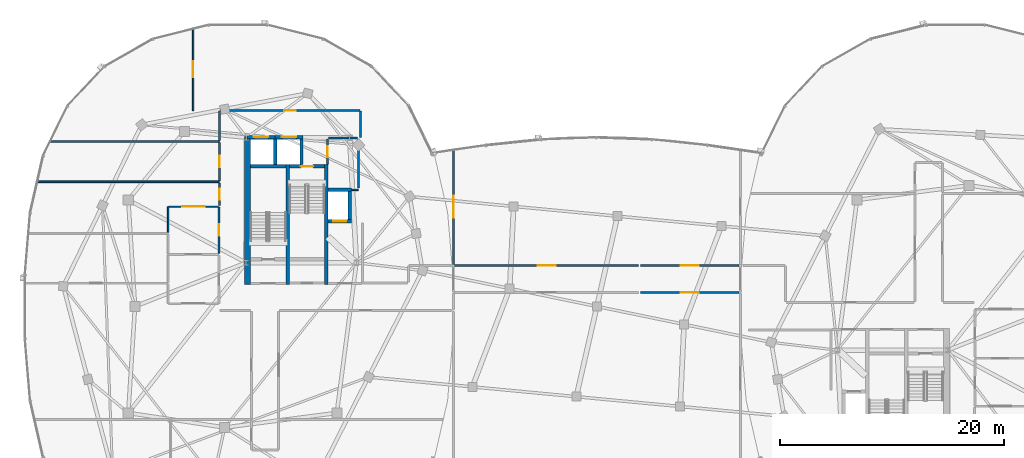
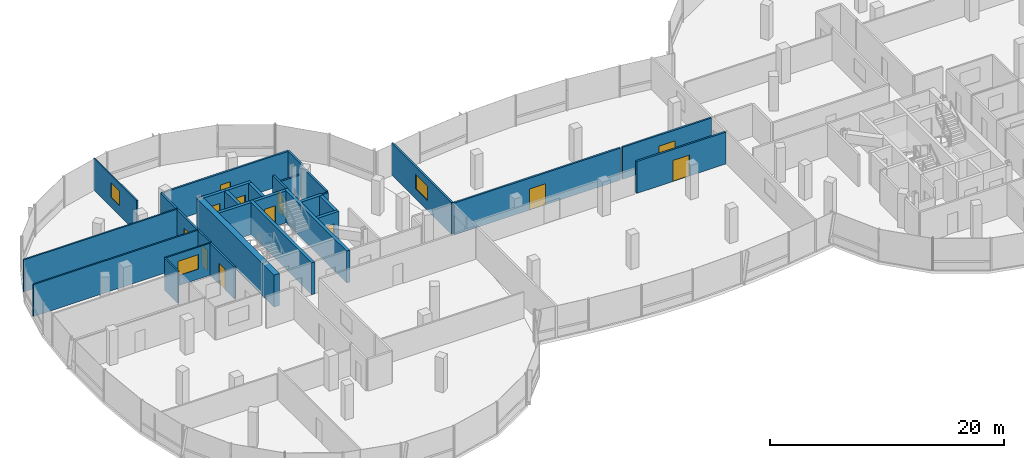
# One storey, part 15 of 25: 31 walls, 12 doors, 3 windows, 15 openings.
"""IFC4 building model written with IfcOpenShell, lengths in metres."""

from ifc_helpers import new_model, si_unit, direction, frame, frame_2d, origin, place, context, subcontext, project, spatial, rectangle, extrude, material, layer, layer_set, type_object, element, fill, save


model = new_model("IFC4")

# Units and contexts
model_context = context("Model", 3, precision=1e-05, world=origin(), true_north=direction((0.0, 1.0)))
body_context = subcontext(model_context, "Body", "Model", "MODEL_VIEW")
ifc_project = project(units=[si_unit("LENGTHUNIT", "METRE"), si_unit("AREAUNIT", "SQUARE_METRE"), si_unit("VOLUMEUNIT", "CUBIC_METRE"), si_unit("PLANEANGLEUNIT", "RADIAN"), si_unit("MASSUNIT", "GRAM", prefix="KILO"), si_unit("THERMODYNAMICTEMPERATUREUNIT", "KELVIN"), si_unit("POWERUNIT", "WATT")], contexts=[model_context])

# Site, building, storey
site_placement = place(None, origin())
site = spatial("IfcSite", under=ifc_project, at=site_placement, CompositionType="ELEMENT")
building_placement = place(site_placement, origin())
building = spatial("IfcBuilding", under=site, at=building_placement, Name="Cundina Bronze Exchange", CompositionType="ELEMENT")
storey_placement = place(building_placement, frame((0.0, 0.0, 257.60009765625)))
storey = spatial("IfcBuildingStorey", under=building, at=storey_placement, Name="L68", CompositionType="ELEMENT", Elevation=257.60009765625)

# Walls
ifc_material_1 = material(Name="Gypsum Fireboard Partition EI120")
ifc_layer_1 = layer(ifc_material_1, 0.179931640625, Name="Gypsum Fireboard Partition EI120")
ifc_layer_set_1 = layer_set([ifc_layer_1], Name="Gypsum Fireboard Partition EI120")
wall_type_1 = type_object("IfcWallType", Name="WL-COR-180", PredefinedType="PARTITIONING", material=ifc_layer_set_1)
wall_1_placement = place(storey_placement, frame((-21.25, 10.570068359375, 0.0), z_axis=(0.0, 0.0, 1.0), x_axis=(0.0, 1.0, 0.0)))
element("IfcWall", 1, at=wall_1_placement, inside=storey, type_object=wall_type_1, Name="L68 Interior Partition 002", PredefinedType="PARTITIONING", context=body_context, shape_type="SweptSolid", body=[
    extrude(rectangle(XDim=4.35986328125, YDim=0.179931640625, at=frame_2d((2.179931640625, 0.0))), origin(), (0.0, 0.0, 1.0), 3.33984375),
])
wall_2_placement = place(storey_placement, frame((-23.9599609375, 15.030029296875, 0.0), z_axis=(0.0, 0.0, 1.0), x_axis=(1.0, 0.0, 0.0)))
element("IfcWall", 2, at=wall_2_placement, inside=storey, type_object=wall_type_1, Name="L68 Interior Partition 003", PredefinedType="PARTITIONING", context=body_context, shape_type="SweptSolid", body=[
    extrude(rectangle(XDim=2.60986328125, YDim=0.179931640625, at=frame_2d((1.304931640625, 0.0))), origin(), (0.0, 0.0, 1.0), 2.412841796875),
])

# Wall, opening, door
wall_3_placement = place(storey_placement, frame((-24.02001953125, 12.669921875, 0.0), z_axis=(0.0, 0.0, 1.0), x_axis=(0.0, 1.0, 0.0)))
wall_3 = element("IfcWall", 3, at=wall_3_placement, inside=storey, type_object=wall_type_1, Name="L68 Interior Partition 005", PredefinedType="PARTITIONING", context=body_context, shape_type="SweptSolid", body=[
    extrude(rectangle(XDim=2.260009765625, YDim=0.179931640625, at=frame_2d((1.1298828125, 0.0))), origin(), (0.0, 0.0, 1.0), 3.33984375),
])
opening_1_placement = place(wall_3_placement, frame((0.655029296875, 0.0, 0.0)))
opening_1 = element("IfcOpeningElement", 4, at=opening_1_placement, cuts=wall_3, Name="Opening DW-01", PredefinedType="OPENING", context=body_context, shape_type="SweptSolid", body=[
    extrude(rectangle(XDim=0.949951171875, YDim=2.10009765625, at=frame_2d((0.47509765625, 1.050048828125))), frame((0.0, 0.099853515625, 0.0), z_axis=(0.0, -1.0, 0.0), x_axis=(1.0, 0.0, 0.0)), (0.0, 0.0, 1.0), 0.199951171875),
])
ifc_material_2 = material(Name="Solid Andean Oak Timber Grade A", Category="wood")
door_type_1 = type_object("IfcDoorType", Name="DR-WC-950", OperationType="NOTDEFINED", PredefinedType="DOOR", material=ifc_material_2)
door_1_placement = place(opening_1_placement, origin())
door_1 = element("IfcDoor", 5, at=door_1_placement, inside=storey, type_object=door_type_1, Name="L68 Interior Door 005", OperationType="SINGLE_SWING_RIGHT", OverallHeight=2.10009765625, OverallWidth=0.949951171875, PredefinedType="DOOR", context=body_context, shape_type="SweptSolid", body=[
    extrude(rectangle(XDim=0.949951171875, YDim=2.10009765625, at=frame_2d((0.47509765625, 1.050048828125))), frame((0.0, 0.02490234375, 0.0), z_axis=(0.0, -1.0, 0.0), x_axis=(1.0, 0.0, 0.0)), (0.0, 0.0, 1.0), 0.050048828125),
])
fill(opening_1, door_1)

wall_4_placement = place(storey_placement, frame((-33.719970703125, 4.72998046875, 0.0), z_axis=(0.0, 0.0, 1.0), x_axis=(0.0, 1.0, 0.0)))
wall_4 = element("IfcWall", 6, at=wall_4_placement, inside=storey, type_object=wall_type_1, Name="L68 Interior Partition 014", PredefinedType="PARTITIONING", context=body_context, shape_type="SweptSolid", body=[
    extrude(rectangle(XDim=4.159912109375, YDim=0.179931640625, at=frame_2d((2.080078125, 0.0))), origin(), (0.0, 0.0, 1.0), 3.33984375),
])
opening_2_placement = place(wall_4_placement, frame((1.580078125, 0.0, 0.0)))
opening_2 = element("IfcOpeningElement", 7, at=opening_2_placement, cuts=wall_4, Name="Opening DO-01", PredefinedType="OPENING", context=body_context, shape_type="SweptSolid", body=[
    extrude(rectangle(XDim=1.0, YDim=2.14990234375, at=frame_2d((0.5, 1.074951171875))), frame((0.0, 0.099853515625, 0.0), z_axis=(0.0, -1.0, 0.0), x_axis=(1.0, 0.0, 0.0)), (0.0, 0.0, 1.0), 0.199951171875),
])
door_type_2 = type_object("IfcDoorType", Name="DR-OFF-1000", OperationType="NOTDEFINED", PredefinedType="DOOR", material=ifc_material_2)
door_2_placement = place(opening_2_placement, origin())
door_2 = element("IfcDoor", 8, at=door_2_placement, inside=storey, type_object=door_type_2, Name="L68 Interior Door 014", OperationType="SINGLE_SWING_LEFT", OverallHeight=2.14990234375, OverallWidth=1.0, PredefinedType="DOOR", context=body_context, shape_type="SweptSolid", body=[
    extrude(rectangle(XDim=1.0, YDim=2.14990234375, at=frame_2d((0.5, 1.074951171875))), frame((0.0, 0.02490234375, 0.0), z_axis=(0.0, -1.0, 0.0), x_axis=(1.0, 0.0, 0.0)), (0.0, 0.0, 1.0), 0.050048828125),
])
fill(opening_2, door_2)

wall_5_placement = place(storey_placement, frame((-33.669921875, 11.030029296875, 0.0), z_axis=(0.0, 0.0, 1.0), x_axis=(0.0, -1.0, 0.0)))
wall_5 = element("IfcWall", 9, at=wall_5_placement, inside=storey, type_object=wall_type_1, Name="L68 Interior Partition 029", PredefinedType="PARTITIONING", context=body_context, shape_type="SweptSolid", body=[
    extrude(rectangle(XDim=2.028564453125, YDim=0.179931640625, at=frame_2d((1.01416015625, 0.0))), origin(), (0.0, 0.0, 1.0), 3.33984375),
])
opening_3_placement = place(wall_5_placement, frame((0.514404296875, 0.0, 0.0)))
opening_3 = element("IfcOpeningElement", 10, at=opening_3_placement, cuts=wall_5, Name="Opening DO-01", PredefinedType="OPENING", context=body_context, shape_type="SweptSolid", body=[
    extrude(rectangle(XDim=1.0, YDim=2.14990234375, at=frame_2d((0.5, 1.074951171875))), frame((0.0, 0.099853515625, 0.0), z_axis=(0.0, -1.0, 0.0), x_axis=(1.0, 0.0, 0.0)), (0.0, 0.0, 1.0), 0.199951171875),
])
door_3_placement = place(opening_3_placement, origin())
door_3 = element("IfcDoor", 11, at=door_3_placement, inside=storey, type_object=door_type_2, Name="L68 Interior Door 029", OperationType="SINGLE_SWING_RIGHT", OverallHeight=2.14990234375, OverallWidth=1.0, PredefinedType="DOOR", context=body_context, shape_type="SweptSolid", body=[
    extrude(rectangle(XDim=1.0, YDim=2.14990234375, at=frame_2d((0.5, 1.074951171875))), frame((0.0, 0.02490234375, 0.0), z_axis=(0.0, -1.0, 0.0), x_axis=(1.0, 0.0, 0.0)), (0.0, 0.0, 1.0), 0.050048828125),
])
fill(opening_3, door_3)

wall_6_placement = place(storey_placement, frame((-33.669921875, 14.6298828125, 0.0), z_axis=(0.0, 0.0, 1.0), x_axis=(0.0, -1.0, 0.0)))
wall_6 = element("IfcWall", 12, at=wall_6_placement, inside=storey, type_object=wall_type_1, Name="L68 Interior Partition 030", PredefinedType="PARTITIONING", context=body_context, shape_type="SweptSolid", body=[
    extrude(rectangle(XDim=3.419921875, YDim=0.179931640625, at=frame_2d((1.7099609375, 0.0))), origin(), (0.0, 0.0, 1.0), 3.33984375),
])
opening_4_placement = place(wall_6_placement, frame((1.2099609375, 0.0, 0.0)))
opening_4 = element("IfcOpeningElement", 13, at=opening_4_placement, cuts=wall_6, Name="Opening DO-01", PredefinedType="OPENING", context=body_context, shape_type="SweptSolid", body=[
    extrude(rectangle(XDim=1.0, YDim=2.14990234375, at=frame_2d((0.5, 1.074951171875))), frame((0.0, 0.099853515625, 0.0), z_axis=(0.0, -1.0, 0.0), x_axis=(1.0, 0.0, 0.0)), (0.0, 0.0, 1.0), 0.199951171875),
])
door_4_placement = place(opening_4_placement, origin())
door_4 = element("IfcDoor", 14, at=door_4_placement, inside=storey, type_object=door_type_2, Name="L68 Interior Door 030", OperationType="SINGLE_SWING_LEFT", OverallHeight=2.14990234375, OverallWidth=1.0, PredefinedType="DOOR", context=body_context, shape_type="SweptSolid", body=[
    extrude(rectangle(XDim=1.0, YDim=2.14990234375, at=frame_2d((0.5, 1.074951171875))), frame((0.0, 0.02490234375, 0.0), z_axis=(0.0, -1.0, 0.0), x_axis=(1.0, 0.0, 0.0)), (0.0, 0.0, 1.0), 0.050048828125),
])
fill(opening_4, door_4)

wall_7_placement = place(storey_placement, frame((-21.12158203125, 17.469970703125, 0.0), z_axis=(0.0, 0.0, 1.0), x_axis=(-1.0, 0.0, 0.0)))
wall_7 = element("IfcWall", 15, at=wall_7_placement, inside=storey, type_object=wall_type_1, Name="L68 Interior Partition 031", PredefinedType="PARTITIONING", context=body_context, shape_type="SweptSolid", body=[
    extrude(rectangle(XDim=12.5068359375, YDim=0.179931640625, at=frame_2d((6.25341796875, 0.0))), origin(), (0.0, 0.0, 1.0), 3.33984375),
])
opening_5_placement = place(wall_7_placement, frame((5.75341796875, 0.0, 0.0)))
opening_5 = element("IfcOpeningElement", 16, at=opening_5_placement, cuts=wall_7, Name="Opening DO-01", PredefinedType="OPENING", context=body_context, shape_type="SweptSolid", body=[
    extrude(rectangle(XDim=1.0, YDim=2.14990234375, at=frame_2d((0.5, 1.074951171875))), frame((0.0, 0.099853515625, 0.0), z_axis=(0.0, -1.0, 0.0), x_axis=(1.0, 0.0, 0.0)), (0.0, 0.0, 1.0), 0.199951171875),
])
door_5_placement = place(opening_5_placement, origin())
door_5 = element("IfcDoor", 17, at=door_5_placement, inside=storey, type_object=door_type_2, Name="L68 Interior Door 031", OperationType="SINGLE_SWING_LEFT", OverallHeight=2.14990234375, OverallWidth=1.0, PredefinedType="DOOR", context=body_context, shape_type="SweptSolid", body=[
    extrude(rectangle(XDim=1.0, YDim=2.14990234375, at=frame_2d((0.5, 1.074951171875))), frame((0.0, 0.02490234375, 0.0), z_axis=(0.0, -1.0, 0.0), x_axis=(1.0, 0.0, 0.0)), (0.0, 0.0, 1.0), 0.050048828125),
])
fill(opening_5, door_5)

# Walls
wall_8_placement = place(storey_placement, frame((-33.669921875, 17.428466796875, 0.0), z_axis=(0.0, 0.0, 1.0), x_axis=(0.0, -1.0, 0.0)))
element("IfcWall", 18, at=wall_8_placement, inside=storey, type_object=wall_type_1, Name="L68 Interior Partition 034", PredefinedType="PARTITIONING", context=body_context, shape_type="SweptSolid", body=[
    extrude(rectangle(XDim=2.618408203125, YDim=0.179931640625, at=frame_2d((1.30908203125, 0.0))), origin(), (0.0, 0.0, 1.0), 3.33984375),
])
wall_9_placement = place(storey_placement, frame((-21.080078125, 15.071533203125, 0.0), z_axis=(0.0, 0.0, 1.0), x_axis=(0.0, 1.0, 0.0)))
element("IfcWall", 19, at=wall_9_placement, inside=storey, type_object=wall_type_1, Name="L68 Interior Partition 035", PredefinedType="PARTITIONING", context=body_context, shape_type="SweptSolid", body=[
    extrude(rectangle(XDim=2.35693359375, YDim=0.179931640625, at=frame_2d((1.178466796875, 0.0))), origin(), (0.0, 0.0, 1.0), 3.33984375),
])

# Wall, opening, door
wall_10_placement = place(storey_placement, frame((3.89501953125, 1.22998046875, 0.0), z_axis=(0.0, 0.0, 1.0), x_axis=(1.0, 0.0, 0.0)))
wall_10 = element("IfcWall", 20, at=wall_10_placement, inside=storey, type_object=wall_type_1, Name="L68 Interior Partition 071", PredefinedType="PARTITIONING", context=body_context, shape_type="SweptSolid", body=[
    extrude(rectangle(XDim=8.79345703125, YDim=0.179931640625, at=frame_2d((4.396728515625, 0.0))), origin(), (0.0, 0.0, 1.0), 3.33984375),
])
opening_6_placement = place(wall_10_placement, frame((3.5966796875, 0.0, 0.0)))
opening_6 = element("IfcOpeningElement", 21, at=opening_6_placement, cuts=wall_10, Name="Opening DO-02", PredefinedType="OPENING", context=body_context, shape_type="SweptSolid", body=[
    extrude(rectangle(XDim=1.60009765625, YDim=2.199951171875, at=frame_2d((0.800048828125, 1.10009765625))), frame((0.0, 0.099853515625, 0.0), z_axis=(0.0, -1.0, 0.0), x_axis=(1.0, 0.0, 0.0)), (0.0, 0.0, 1.0), 0.199951171875),
])
door_type_3 = type_object("IfcDoorType", Name="DR-TRD-1600", OperationType="NOTDEFINED", PredefinedType="DOOR", material=ifc_material_2)
door_6_placement = place(opening_6_placement, origin())
door_6 = element("IfcDoor", 22, at=door_6_placement, inside=storey, type_object=door_type_3, Name="L68 Interior Door 071", OperationType="SINGLE_SWING_LEFT", OverallHeight=2.199951171875, OverallWidth=1.60009765625, PredefinedType="DOOR", context=body_context, shape_type="SweptSolid", body=[
    extrude(rectangle(XDim=1.60009765625, YDim=2.199951171875, at=frame_2d((0.800048828125, 1.10009765625))), frame((0.0, 0.02490234375, 0.0), z_axis=(0.0, -1.0, 0.0), x_axis=(1.0, 0.0, 0.0)), (0.0, 0.0, 1.0), 0.050048828125),
])
fill(opening_6, door_6)

wall_11_placement = place(storey_placement, frame((12.6884765625, 3.669921875, 0.0), z_axis=(0.0, 0.0, 1.0), x_axis=(-1.0, 0.0, 0.0)))
wall_11 = element("IfcWall", 23, at=wall_11_placement, inside=storey, type_object=wall_type_1, Name="L68 Interior Partition 072", PredefinedType="PARTITIONING", context=body_context, shape_type="SweptSolid", body=[
    extrude(rectangle(XDim=8.79345703125, YDim=0.179931640625, at=frame_2d((4.396728515625, 0.0))), origin(), (0.0, 0.0, 1.0), 3.33984375),
])
opening_7_placement = place(wall_11_placement, frame((3.5966796875, 0.0, 0.0)))
opening_7 = element("IfcOpeningElement", 24, at=opening_7_placement, cuts=wall_11, Name="Opening DO-02", PredefinedType="OPENING", context=body_context, shape_type="SweptSolid", body=[
    extrude(rectangle(XDim=1.60009765625, YDim=2.199951171875, at=frame_2d((0.800048828125, 1.10009765625))), frame((0.0, 0.099853515625, 0.0), z_axis=(0.0, -1.0, 0.0), x_axis=(1.0, 0.0, 0.0)), (0.0, 0.0, 1.0), 0.199951171875),
])
door_7_placement = place(opening_7_placement, origin())
door_7 = element("IfcDoor", 25, at=door_7_placement, inside=storey, type_object=door_type_3, Name="L68 Interior Door 072", OperationType="SINGLE_SWING_RIGHT", OverallHeight=2.199951171875, OverallWidth=1.60009765625, PredefinedType="DOOR", context=body_context, shape_type="SweptSolid", body=[
    extrude(rectangle(XDim=1.60009765625, YDim=2.199951171875, at=frame_2d((0.800048828125, 1.10009765625))), frame((0.0, 0.02490234375, 0.0), z_axis=(0.0, -1.0, 0.0), x_axis=(1.0, 0.0, 0.0)), (0.0, 0.0, 1.0), 0.050048828125),
])
fill(opening_7, door_7)

wall_12_placement = place(storey_placement, frame((3.705078125, 3.669921875, 0.0), z_axis=(0.0, 0.0, 1.0), x_axis=(-1.0, 0.0, 0.0)))
wall_12 = element("IfcWall", 26, at=wall_12_placement, inside=storey, type_object=wall_type_1, Name="L68 Interior Partition 073", PredefinedType="PARTITIONING", context=body_context, shape_type="SweptSolid", body=[
    extrude(rectangle(XDim=16.3935546875, YDim=0.179931640625, at=frame_2d((8.19677734375, 0.0))), origin(), (0.0, 0.0, 1.0), 3.33984375),
])
opening_8_placement = place(wall_12_placement, frame((7.396728515625, 0.0, 0.0)))
opening_8 = element("IfcOpeningElement", 27, at=opening_8_placement, cuts=wall_12, Name="Opening DO-02", PredefinedType="OPENING", context=body_context, shape_type="SweptSolid", body=[
    extrude(rectangle(XDim=1.60009765625, YDim=2.199951171875, at=frame_2d((0.800048828125, 1.10009765625))), frame((0.0, 0.099853515625, 0.0), z_axis=(0.0, -1.0, 0.0), x_axis=(1.0, 0.0, 0.0)), (0.0, 0.0, 1.0), 0.199951171875),
])
door_8_placement = place(opening_8_placement, origin())
door_8 = element("IfcDoor", 28, at=door_8_placement, inside=storey, type_object=door_type_3, Name="L68 Interior Door 073", OperationType="SINGLE_SWING_LEFT", OverallHeight=2.199951171875, OverallWidth=1.60009765625, PredefinedType="DOOR", context=body_context, shape_type="SweptSolid", body=[
    extrude(rectangle(XDim=1.60009765625, YDim=2.199951171875, at=frame_2d((0.800048828125, 1.10009765625))), frame((0.0, 0.02490234375, 0.0), z_axis=(0.0, -1.0, 0.0), x_axis=(1.0, 0.0, 0.0)), (0.0, 0.0, 1.0), 0.050048828125),
])
fill(opening_8, door_8)

# Wall, opening, window
wall_13_placement = place(storey_placement, frame((-12.800048828125, 3.739990234375, 0.0), z_axis=(0.0, 0.0, 1.0), x_axis=(0.0, 1.0, 0.0)))
wall_13 = element("IfcWall", 29, at=wall_13_placement, inside=storey, type_object=wall_type_1, Name="L68 Interior Partition 076", PredefinedType="PARTITIONING", context=body_context, shape_type="SweptSolid", body=[
    extrude(rectangle(XDim=10.3037109375, YDim=0.179931640625, at=frame_2d((5.15185546875, 0.0))), origin(), (0.0, 0.0, 1.0), 3.33984375),
])
opening_9_placement = place(wall_13_placement, frame((4.152099609375, 0.0, 1.050048828125)))
opening_9 = element("IfcOpeningElement", 30, at=opening_9_placement, cuts=wall_13, Name="Opening WI-01", PredefinedType="OPENING", context=body_context, shape_type="SweptSolid", body=[
    extrude(rectangle(XDim=2.0, YDim=1.5, at=frame_2d((1.0, 0.75))), frame((0.0, 0.099853515625, 0.0), z_axis=(0.0, -1.0, 0.0), x_axis=(1.0, 0.0, 0.0)), (0.0, 0.0, 1.0), 0.199951171875),
])
ifc_material_3 = material(Name="Clear Low-E Insulating Glass 26mm", Category="glass")
window_type_1 = type_object("IfcWindowType", Name="WN-INT-2000", PartitioningType="SINGLE_PANEL", PredefinedType="WINDOW", material=ifc_material_3)
window_1_placement = place(opening_9_placement, origin())
window_1 = element("IfcWindow", 31, at=window_1_placement, inside=storey, type_object=window_type_1, Name="L68 Interior Acoustic Vision Window 076", OverallHeight=1.5, OverallWidth=2.0, PartitioningType="SINGLE_PANEL", PredefinedType="WINDOW", context=body_context, shape_type="SweptSolid", body=[
    extrude(rectangle(XDim=2.0, YDim=1.5, at=frame_2d((1.0, 0.75))), frame((0.0, 0.030029296875, 0.0), z_axis=(0.0, -1.0, 0.0), x_axis=(1.0, 0.0, 0.0)), (0.0, 0.0, 1.0), 0.06005859375),
])
fill(opening_9, window_1)

# Wall
ifc_material_4 = material(Name="Concrete C50/60", Category="concrete")
ifc_layer_2 = layer(ifc_material_4, 0.550048828125, Name="Concrete C50/60", Category="concrete")
ifc_layer_set_2 = layer_set([ifc_layer_2], Name="Concrete C50/60")
wall_type_2 = type_object("IfcWallType", Name="WL-CORE-550", PredefinedType="SHEAR", material=ifc_layer_set_2)
wall_14_placement = place(storey_placement, frame((-31.175048828125, 1.969970703125, 0.0), z_axis=(0.0, 0.0, 1.0), x_axis=(0.0, 1.0, 0.0)))
element("IfcWall", 32, at=wall_14_placement, inside=storey, type_object=wall_type_2, Name="L68 W Primary Core Shear Spine Wall", PredefinedType="SHEAR", context=body_context, shape_type="SweptSolid", body=[
    extrude(rectangle(XDim=13.330078125, YDim=0.550048828125, at=frame_2d((6.6650390625, 0.0))), origin(), (0.0, 0.0, 1.0), 3.33984375),
])

# Wall, opening, window
ifc_material_5 = material(Name="Gypsum Acoustic Partition EI60")
ifc_layer_3 = layer(ifc_material_5, 0.125, Name="Gypsum Acoustic Partition EI60")
ifc_layer_set_3 = layer_set([ifc_layer_3], Name="Gypsum Acoustic Partition EI60")
wall_type_3 = type_object("IfcWallType", Name="WL-OFF-125", PredefinedType="PARTITIONING", material=ifc_layer_set_3)
wall_15_placement = place(storey_placement, frame((-36.02001953125, 17.469970703125, 0.0), z_axis=(0.0, 0.0, 1.0), x_axis=(0.0, 1.0, 0.0)))
wall_15 = element("IfcWall", 33, at=wall_15_placement, inside=storey, type_object=wall_type_3, Name="L68 Interior Partition 021", PredefinedType="PARTITIONING", context=body_context, shape_type="SweptSolid", body=[
    extrude(rectangle(XDim=7.368896484375, YDim=0.125, at=frame_2d((3.6845703125, 0.0))), origin(), (0.0, 0.0, 1.0), 3.33984375),
])
opening_10_placement = place(wall_15_placement, frame((2.98388671875, 0.0, 1.050048828125)))
opening_10 = element("IfcOpeningElement", 34, at=opening_10_placement, cuts=wall_15, Name="Opening WI-02", PredefinedType="OPENING", context=body_context, shape_type="SweptSolid", body=[
    extrude(rectangle(XDim=1.39990234375, YDim=1.5, at=frame_2d((0.699951171875, 0.75))), frame((0.0, 0.072509765625, 0.0), z_axis=(0.0, -1.0, 0.0), x_axis=(1.0, 0.0, 0.0)), (0.0, 0.0, 1.0), 0.14501953125),
])
window_type_2 = type_object("IfcWindowType", Name="WN-INT-1400", PartitioningType="SINGLE_PANEL", PredefinedType="WINDOW", material=ifc_material_3)
window_2_placement = place(opening_10_placement, origin())
window_2 = element("IfcWindow", 35, at=window_2_placement, inside=storey, type_object=window_type_2, Name="L68 Interior Acoustic Vision Window 021", OverallHeight=1.5, OverallWidth=1.39990234375, PartitioningType="SINGLE_PANEL", PredefinedType="WINDOW", context=body_context, shape_type="SweptSolid", body=[
    extrude(rectangle(XDim=1.39990234375, YDim=1.5, at=frame_2d((0.699951171875, 0.75))), frame((0.0, 0.030029296875, 0.0), z_axis=(0.0, -1.0, 0.0), x_axis=(1.0, 0.0, 0.0)), (0.0, 0.0, 1.0), 0.06005859375),
])
fill(opening_10, window_2)

# Walls
ifc_layer_4 = layer(ifc_material_4, 0.300048828125, Name="Concrete C50/60", Category="concrete")
ifc_layer_set_4 = layer_set([ifc_layer_4], Name="Concrete C50/60")
wall_type_4 = type_object("IfcWallType", Name="WL-SHFT-300", PredefinedType="SHEAR", material=ifc_layer_set_4)
for number, where, z_axis, x_axis, name in (
    (36, (-27.590087890625, 1.969970703125, 0.0), (0.0, 0.0, 1.0), (0.0, 1.0, 0.0), "L68 W Stair Shaft Dividing Shear Wall"),
    (37, (-24.1298828125, 1.969970703125, 0.0), (0.0, 0.0, 1.0), (0.0, 1.0, 0.0), "L68 W Stair 2 East Shear Wall"),
):
    element("IfcWall", number, at=place(storey_placement, frame(where, z_axis=z_axis, x_axis=x_axis)), inside=storey, type_object=wall_type_4, Name=name, PredefinedType="SHEAR", context=body_context, shape_type="SweptSolid", body=[
        extrude(rectangle(XDim=10.679931640625, YDim=0.300048828125, at=frame_2d((5.33984375, 0.0))), origin(), (0.0, 0.0, 1.0), 3.33984375),
    ])
wall_16_placement = place(storey_placement, frame((-30.89990234375, 12.5, 0.0), z_axis=(0.0, 0.0, 1.0), x_axis=(1.0, 0.0, 0.0)))
element("IfcWall", 38, at=wall_16_placement, inside=storey, type_object=wall_type_4, Name="L68 Stair W1 Far Shaft Wall", PredefinedType="SHEAR", context=body_context, shape_type="SweptSolid", body=[
    extrude(rectangle(XDim=3.159912109375, YDim=0.300048828125, at=frame_2d((1.580078125, 0.0))), origin(), (0.0, 0.0, 1.0), 3.33984375),
])

# Wall, opening, door
wall_17_placement = place(storey_placement, frame((-27.43994140625, 12.5, 0.0), z_axis=(0.0, 0.0, 1.0), x_axis=(1.0, 0.0, 0.0)))
wall_17 = element("IfcWall", 39, at=wall_17_placement, inside=storey, type_object=wall_type_4, Name="L68 Stair W2 Landing Wall", PredefinedType="SHEAR", context=body_context, shape_type="SweptSolid", body=[
    extrude(rectangle(XDim=3.159912109375, YDim=0.300048828125, at=frame_2d((1.580078125, 0.0))), origin(), (0.0, 0.0, 1.0), 3.33984375),
])
opening_11_placement = place(wall_17_placement, frame((1.030029296875, 0.0, 0.0)))
opening_11 = element("IfcOpeningElement", 40, at=opening_11_placement, cuts=wall_17, Name="Opening DS-01", PredefinedType="OPENING", context=body_context, shape_type="SweptSolid", body=[
    extrude(rectangle(XDim=1.10009765625, YDim=2.14990234375, at=frame_2d((0.550048828125, 1.074951171875))), frame((0.0, 0.159912109375, 0.0), z_axis=(0.0, -1.0, 0.0), x_axis=(1.0, 0.0, 0.0)), (0.0, 0.0, 1.0), 0.320068359375),
])
ifc_material_6 = material(Name="Steel ASTM A36 Painted", Category="steel")
door_type_4 = type_object("IfcDoorType", Name="DR-STR-1100", OperationType="NOTDEFINED", PredefinedType="DOOR", material=ifc_material_6)
door_9_placement = place(opening_11_placement, origin())
door_9 = element("IfcDoor", 41, at=door_9_placement, inside=storey, type_object=door_type_4, Name="L68 Smokeproof Stair W2 Door", OperationType="SINGLE_SWING_LEFT", OverallHeight=2.14990234375, OverallWidth=1.10009765625, PredefinedType="DOOR", context=body_context, shape_type="SweptSolid", body=[
    extrude(rectangle(XDim=1.10009765625, YDim=2.14990234375, at=frame_2d((0.550048828125, 1.074951171875))), frame((0.0, 0.02490234375, 0.0), z_axis=(0.0, -1.0, 0.0), x_axis=(1.0, 0.0, 0.0)), (0.0, 0.0, 1.0), 0.050048828125),
])
fill(opening_11, door_9)

wall_18_placement = place(storey_placement, frame((-23.97998046875, 7.60009765625, 0.0), z_axis=(0.0, 0.0, 1.0), x_axis=(1.0, 0.0, 0.0)))
wall_18 = element("IfcWall", 42, at=wall_18_placement, inside=storey, type_object=wall_type_4, Name="L68 FFL-W Hoistway Front Wall", PredefinedType="SHEAR", context=body_context, shape_type="SweptSolid", body=[
    extrude(rectangle(XDim=2.10009765625, YDim=0.300048828125, at=frame_2d((1.050048828125, 0.0))), origin(), (0.0, 0.0, 1.0), 3.33984375),
])
opening_12_placement = place(wall_18_placement, frame((0.47509765625, 0.0, 0.0)))
opening_12 = element("IfcOpeningElement", 43, at=opening_12_placement, cuts=wall_18, Name="Opening LD-01", PredefinedType="OPENING", context=body_context, shape_type="SweptSolid", body=[
    extrude(rectangle(XDim=1.14990234375, YDim=2.199951171875, at=frame_2d((0.574951171875, 1.10009765625))), frame((0.0, 0.159912109375, 0.0), z_axis=(0.0, -1.0, 0.0), x_axis=(1.0, 0.0, 0.0)), (0.0, 0.0, 1.0), 0.320068359375),
])
door_type_5 = type_object("IfcDoorType", Name="DR-LND-1150", OperationType="NOTDEFINED", PredefinedType="TRAPDOOR", material=ifc_material_6)
door_10_placement = place(opening_12_placement, origin())
door_10 = element("IfcDoor", 44, at=door_10_placement, inside=storey, type_object=door_type_5, Name="L68 FFL-W Sliding Landing Door", OperationType="SLIDING_TO_LEFT", OverallHeight=2.199951171875, OverallWidth=1.14990234375, PredefinedType="TRAPDOOR", context=body_context, shape_type="SweptSolid", body=[
    extrude(rectangle(XDim=1.14990234375, YDim=2.199951171875, at=frame_2d((0.574951171875, 1.10009765625))), frame((0.0, 0.02490234375, 0.0), z_axis=(0.0, -1.0, 0.0), x_axis=(1.0, 0.0, 0.0)), (0.0, 0.0, 1.0), 0.050048828125),
])
fill(opening_12, door_10)

# Walls
wall_19_placement = place(storey_placement, frame((-23.97998046875, 10.39990234375, 0.0), z_axis=(0.0, 0.0, 1.0), x_axis=(1.0, 0.0, 0.0)))
element("IfcWall", 45, at=wall_19_placement, inside=storey, type_object=wall_type_4, Name="L68 FFL-W Hoistway Back Wall", PredefinedType="SHEAR", context=body_context, shape_type="SweptSolid", body=[
    extrude(rectangle(XDim=2.10009765625, YDim=0.300048828125, at=frame_2d((1.050048828125, 0.0))), origin(), (0.0, 0.0, 1.0), 3.33984375),
])
wall_20_placement = place(storey_placement, frame((-22.030029296875, 7.75, 0.0), z_axis=(0.0, 0.0, 1.0), x_axis=(0.0, 1.0, 0.0)))
element("IfcWall", 46, at=wall_20_placement, inside=storey, type_object=wall_type_4, Name="L68 FFL-W Hoistway Side Wall", PredefinedType="SHEAR", context=body_context, shape_type="SweptSolid", body=[
    extrude(rectangle(XDim=2.5, YDim=0.300048828125, at=frame_2d((1.25, 0.0))), origin(), (0.0, 0.0, 1.0), 3.33984375),
])

# Wall, opening, door
wall_21_placement = place(storey_placement, frame((-31.199951171875, 15.10009765625, 0.0), z_axis=(0.0, 0.0, 1.0), x_axis=(1.0, 0.0, 0.0)))
wall_21 = element("IfcWall", 47, at=wall_21_placement, inside=storey, type_object=wall_type_4, Name="L68 PH-W1 Hoistway Front Wall", PredefinedType="SHEAR", context=body_context, shape_type="SweptSolid", body=[
    extrude(rectangle(XDim=2.5, YDim=0.300048828125, at=frame_2d((1.25, 0.0))), origin(), (0.0, 0.0, 1.0), 3.33984375),
])
opening_13_placement = place(wall_21_placement, frame((0.60009765625, 0.0, 0.0)))
opening_13 = element("IfcOpeningElement", 48, at=opening_13_placement, cuts=wall_21, Name="Opening LD-02", PredefinedType="OPENING", context=body_context, shape_type="SweptSolid", body=[
    extrude(rectangle(XDim=1.300048828125, YDim=2.199951171875, at=frame_2d((0.64990234375, 1.10009765625))), frame((0.0, 0.159912109375, 0.0), z_axis=(0.0, -1.0, 0.0), x_axis=(1.0, 0.0, 0.0)), (0.0, 0.0, 1.0), 0.320068359375),
])
door_type_6 = type_object("IfcDoorType", Name="DR-LND-1300", OperationType="NOTDEFINED", PredefinedType="TRAPDOOR", material=ifc_material_6)
door_11_placement = place(opening_13_placement, origin())
door_11 = element("IfcDoor", 49, at=door_11_placement, inside=storey, type_object=door_type_6, Name="L68 PH-W1 Sliding Landing Door", OperationType="SLIDING_TO_LEFT", OverallHeight=2.199951171875, OverallWidth=1.300048828125, PredefinedType="TRAPDOOR", context=body_context, shape_type="SweptSolid", body=[
    extrude(rectangle(XDim=1.300048828125, YDim=2.199951171875, at=frame_2d((0.64990234375, 1.10009765625))), frame((0.0, 0.02490234375, 0.0), z_axis=(0.0, -1.0, 0.0), x_axis=(1.0, 0.0, 0.0)), (0.0, 0.0, 1.0), 0.050048828125),
])
fill(opening_13, door_11)

# Wall
wall_22_placement = place(storey_placement, frame((-28.699951171875, 12.64990234375, 0.0), z_axis=(0.0, 0.0, 1.0), x_axis=(0.0, 1.0, 0.0)))
element("IfcWall", 50, at=wall_22_placement, inside=storey, type_object=wall_type_4, Name="L68 PH-W1 Hoistway Divider Wall", PredefinedType="SHEAR", context=body_context, shape_type="SweptSolid", body=[
    extrude(rectangle(XDim=2.300048828125, YDim=0.300048828125, at=frame_2d((1.14990234375, 0.0))), origin(), (0.0, 0.0, 1.0), 3.33984375),
])

# Wall, opening, door
wall_23_placement = place(storey_placement, frame((-28.699951171875, 15.10009765625, 0.0), z_axis=(0.0, 0.0, 1.0), x_axis=(1.0, 0.0, 0.0)))
wall_23 = element("IfcWall", 51, at=wall_23_placement, inside=storey, type_object=wall_type_4, Name="L68 PH-W2 Hoistway Front Wall", PredefinedType="SHEAR", context=body_context, shape_type="SweptSolid", body=[
    extrude(rectangle(XDim=2.5, YDim=0.300048828125, at=frame_2d((1.25, 0.0))), origin(), (0.0, 0.0, 1.0), 3.33984375),
])
opening_14_placement = place(wall_23_placement, frame((0.60009765625, 0.0, 0.0)))
opening_14 = element("IfcOpeningElement", 52, at=opening_14_placement, cuts=wall_23, Name="Opening LD-02", PredefinedType="OPENING", context=body_context, shape_type="SweptSolid", body=[
    extrude(rectangle(XDim=1.300048828125, YDim=2.199951171875, at=frame_2d((0.64990234375, 1.10009765625))), frame((0.0, 0.159912109375, 0.0), z_axis=(0.0, -1.0, 0.0), x_axis=(1.0, 0.0, 0.0)), (0.0, 0.0, 1.0), 0.320068359375),
])
door_12_placement = place(opening_14_placement, origin())
door_12 = element("IfcDoor", 53, at=door_12_placement, inside=storey, type_object=door_type_6, Name="L68 PH-W2 Sliding Landing Door", OperationType="SLIDING_TO_LEFT", OverallHeight=2.199951171875, OverallWidth=1.300048828125, PredefinedType="TRAPDOOR", context=body_context, shape_type="SweptSolid", body=[
    extrude(rectangle(XDim=1.300048828125, YDim=2.199951171875, at=frame_2d((0.64990234375, 1.10009765625))), frame((0.0, 0.02490234375, 0.0), z_axis=(0.0, -1.0, 0.0), x_axis=(1.0, 0.0, 0.0)), (0.0, 0.0, 1.0), 0.050048828125),
])
fill(opening_14, door_12)

# Walls
wall_24_placement = place(storey_placement, frame((-26.35009765625, 12.64990234375, 0.0), z_axis=(0.0, 0.0, 1.0), x_axis=(0.0, 1.0, 0.0)))
element("IfcWall", 54, at=wall_24_placement, inside=storey, type_object=wall_type_4, Name="L68 PH-W2 Hoistway Divider Wall", PredefinedType="SHEAR", context=body_context, shape_type="SweptSolid", body=[
    extrude(rectangle(XDim=2.300048828125, YDim=0.300048828125, at=frame_2d((1.14990234375, 0.0))), origin(), (0.0, 0.0, 1.0), 3.33984375),
])
ifc_layer_5 = layer(ifc_material_5, 0.14990234375, Name="Gypsum Acoustic Partition EI60")
ifc_layer_set_5 = layer_set([ifc_layer_5], Name="Gypsum Acoustic Partition EI60")
wall_type_5 = type_object("IfcWallType", Name="WL-TEN-150", PredefinedType="PARTITIONING", material=ifc_layer_set_5)
wall_25_placement = place(storey_placement, frame((-50.006591796875, 11.1201171875, 0.0), z_axis=(0.0, 0.0, 1.0), x_axis=(1.0, 0.0, 0.0)))
element("IfcWall", 55, at=wall_25_placement, inside=storey, type_object=wall_type_5, Name="L68 Interior Partition 019", PredefinedType="PARTITIONING", context=body_context, shape_type="SweptSolid", body=[
    extrude(rectangle(XDim=16.306640625, YDim=0.14990234375, at=frame_2d((8.1533203125, 0.0))), origin(), (0.0, 0.0, 1.0), 3.33984375),
])
wall_26_placement = place(storey_placement, frame((-48.86376953125, 14.719970703125, 0.0), z_axis=(0.0, 0.0, 1.0), x_axis=(1.0, 0.0, 0.0)))
element("IfcWall", 56, at=wall_26_placement, inside=storey, type_object=wall_type_5, Name="L68 Interior Partition 020", PredefinedType="PARTITIONING", context=body_context, shape_type="SweptSolid", body=[
    extrude(rectangle(XDim=15.163818359375, YDim=0.14990234375, at=frame_2d((7.58203125, 0.0))), origin(), (0.0, 0.0, 1.0), 3.33984375),
])
ifc_material_7 = material(Name="Moisture-Resistant Masonry Block Grade M15", Category="masonry")
ifc_layer_6 = layer(ifc_material_7, 0.139892578125, Name="Moisture-Resistant Masonry Block Grade M15", Category="masonry")
ifc_layer_set_6 = layer_set([ifc_layer_6], Name="Moisture-Resistant Masonry Block Grade M15")
wall_type_6 = type_object("IfcWallType", Name="WL-WET-140", PredefinedType="PARTITIONING", material=ifc_layer_set_6)
wall_27_placement = place(storey_placement, frame((-21.860107421875, 10.39990234375, 0.0), z_axis=(0.0, 0.0, 1.0), x_axis=(1.0, 0.0, 0.0)))
element("IfcWall", 57, at=wall_27_placement, inside=storey, type_object=wall_type_6, Name="L68 Interior Partition 001", PredefinedType="PARTITIONING", context=body_context, shape_type="SweptSolid", body=[
    extrude(rectangle(XDim=0.590087890625, YDim=0.139892578125, at=frame_2d((0.294921875, 0.0))), origin(), (0.0, 0.0, 1.0), 3.33984375),
])
wall_28_placement = place(storey_placement, frame((-38.239990234375, 6.60498046875, 0.0), z_axis=(0.0, 0.0, 1.0), x_axis=(0.0, 1.0, 0.0)))
element("IfcWall", 58, at=wall_28_placement, inside=storey, type_object=wall_type_6, Name="L68 Interior Partition 009", PredefinedType="PARTITIONING", context=body_context, shape_type="SweptSolid", body=[
    extrude(rectangle(XDim=2.284912109375, YDim=0.139892578125, at=frame_2d((1.142578125, 0.0))), origin(), (0.0, 0.0, 1.0), 3.33984375),
])

# Wall, opening, window
wall_29_placement = place(storey_placement, frame((-38.219970703125, 8.909912109375, 0.0), z_axis=(0.0, 0.0, 1.0), x_axis=(1.0, 0.0, 0.0)))
wall_29 = element("IfcWall", 59, at=wall_29_placement, inside=storey, type_object=wall_type_6, Name="L68 Interior Partition 012", PredefinedType="PARTITIONING", context=body_context, shape_type="SweptSolid", body=[
    extrude(rectangle(XDim=4.47998046875, YDim=0.139892578125, at=frame_2d((2.239990234375, 0.0))), origin(), (0.0, 0.0, 1.0), 3.33984375),
])
opening_15_placement = place(wall_29_placement, frame((1.239990234375, 0.0, 1.050048828125)))
opening_15 = element("IfcOpeningElement", 60, at=opening_15_placement, cuts=wall_29, Name="Opening WI-01", PredefinedType="OPENING", context=body_context, shape_type="SweptSolid", body=[
    extrude(rectangle(XDim=2.0, YDim=1.5, at=frame_2d((1.0, 0.75))), frame((0.0, 0.079833984375, 0.0), z_axis=(0.0, -1.0, 0.0), x_axis=(1.0, 0.0, 0.0)), (0.0, 0.0, 1.0), 0.159912109375),
])
window_3_placement = place(opening_15_placement, origin())
window_3 = element("IfcWindow", 61, at=window_3_placement, inside=storey, type_object=window_type_1, Name="L68 Interior Acoustic Vision Window 012", OverallHeight=1.5, OverallWidth=2.0, PartitioningType="SINGLE_PANEL", PredefinedType="WINDOW", context=body_context, shape_type="SweptSolid", body=[
    extrude(rectangle(XDim=2.0, YDim=1.5, at=frame_2d((1.0, 0.75))), frame((0.0, 0.030029296875, 0.0), z_axis=(0.0, -1.0, 0.0), x_axis=(1.0, 0.0, 0.0)), (0.0, 0.0, 1.0), 0.06005859375),
])
fill(opening_15, window_3)

save(model, "model.ifc")
